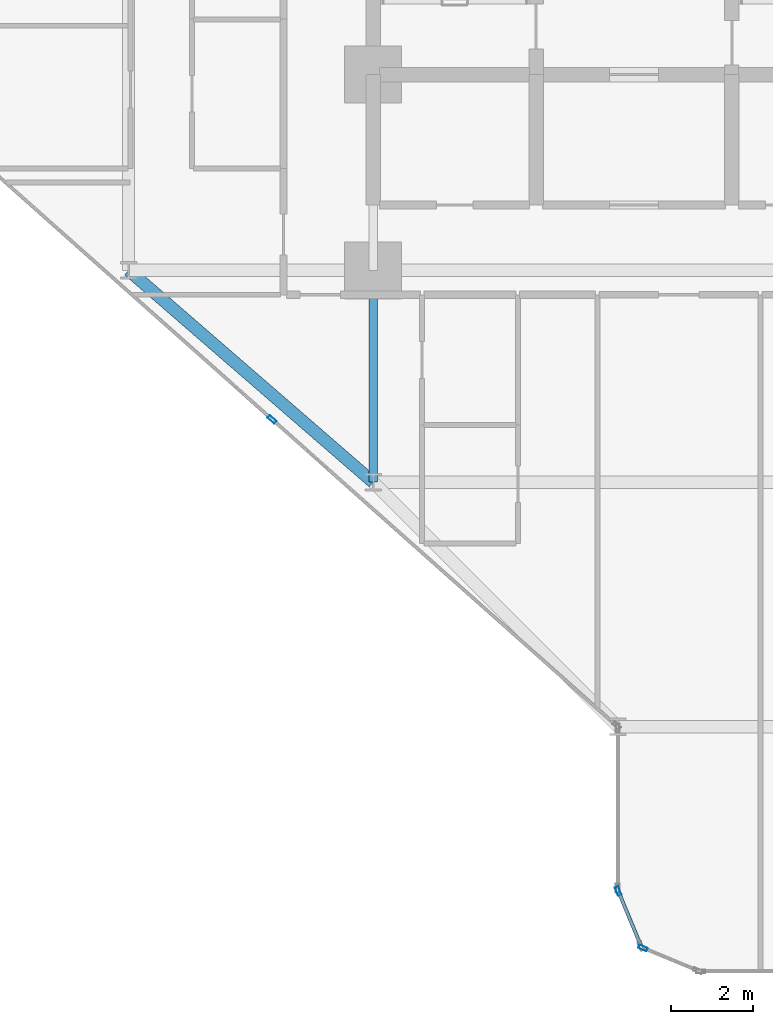
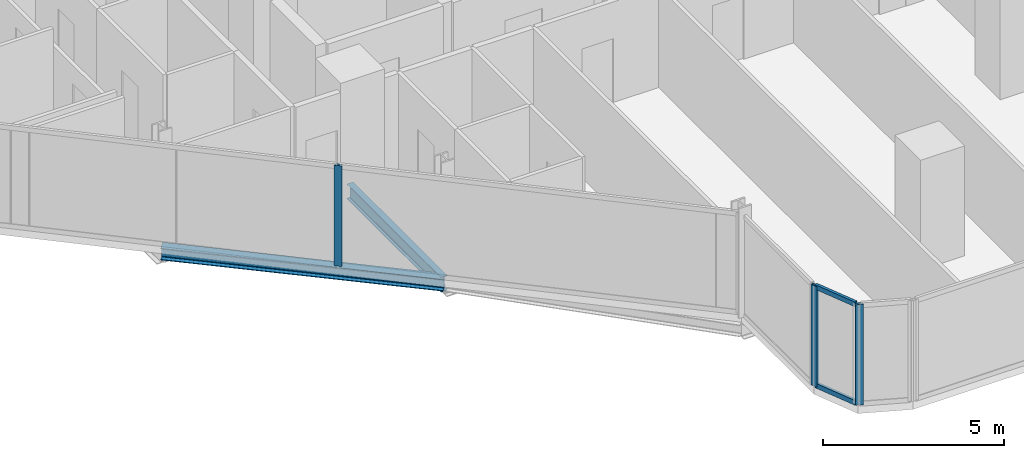
# One storey, part 2 of 33: 5 members, 2 beams, 3 elements without a shape of their own.
"""IFC4 building model written with IfcOpenShell, lengths in metres."""

import ifcopenshell
import ifcopenshell.guid

model = None  # the IFC model being written
_history = None  # IfcOwnerHistory: only IFC2X3 demands one
_inside = {}  # id of a spatial element -> (the spatial element, [elements in it])
_under = {}  # id of a project, library or spatial element -> (it, [spatial elements below it])
_declared = {}  # id of a project -> (the project, [libraries it declares])
_typed = {}  # id of a type object -> (the type object, [elements of that type])
_made_of = {}  # id of a material, layer set ... -> (it, [elements and type objects made of it])


def new_model(schema):
    """Start an empty IFC model of exactly this schema.

    Asked for "IFC4X3", IfcOpenShell would pick the latest addendum, in which some entities
    have other attributes; the version numbers below select the first issue.
    IFC2X3 requires an IfcOwnerHistory on every rooted entity: one is made here for all.
    """
    global model, _history
    if schema == "IFC4X3":
        model = ifcopenshell.file(schema_version=(4, 3, 0, 0))
    else:
        model = ifcopenshell.file(schema=schema)
    _inside.clear()
    _under.clear()
    _declared.clear()
    _typed.clear()
    _made_of.clear()
    _history = None
    if model.schema == "IFC2X3":
        org = make("IfcOrganization", Name="unknown")
        user = make(
            "IfcPersonAndOrganization",
            ThePerson=make("IfcPerson", FamilyName="unknown"),
            TheOrganization=org,
        )
        app = make(
            "IfcApplication",
            ApplicationDeveloper=org,
            Version="unknown",
            ApplicationFullName="unknown",
            ApplicationIdentifier="unknown",
        )
        _history = make(
            "IfcOwnerHistory",
            OwningUser=user,
            OwningApplication=app,
            ChangeAction="ADDED",
            CreationDate=0,
        )
    return model


def make(cls, **values):
    """One entity of the class cls with the attributes given. An attribute that is None is left unset."""
    return model.create_entity(
        cls, **{name: value for name, value in values.items() if value is not None}
    )


def rooted(cls, **values):
    """An entity with a GlobalId (a new one), such as an element, a storey or a relation."""
    return make(cls, GlobalId=ifcopenshell.guid.new(), OwnerHistory=_history, **values)


def si_unit(unit_type, name, prefix=None):
    """IfcSIUnit, for example si_unit("LENGTHUNIT", "METRE", prefix="MILLI")."""
    return make("IfcSIUnit", UnitType=unit_type, Prefix=prefix, Name=name)


def assignment(units):
    """IfcUnitAssignment: the units of a project."""
    return None if units is None else make("IfcUnitAssignment", Units=units)


def point(xyz):
    """IfcCartesianPoint."""
    return None if xyz is None else make("IfcCartesianPoint", Coordinates=xyz)


def direction(xyz):
    """IfcDirection."""
    return None if xyz is None else make("IfcDirection", DirectionRatios=xyz)


def frame(location, z_axis=None, x_axis=None):
    """IfcAxis2Placement3D, a coordinate frame: its origin and axes. An axis left out is left unset."""
    return make(
        "IfcAxis2Placement3D",
        Location=point(location),
        Axis=direction(z_axis),
        RefDirection=direction(x_axis),
    )


def frame_2d(location, x_axis=None):
    """IfcAxis2Placement2D, a coordinate frame in the plane: its origin and x axis."""
    return make(
        "IfcAxis2Placement2D", Location=point(location), RefDirection=direction(x_axis)
    )


def origin():
    """The frame at (0, 0, 0) with its axes left unset."""
    return frame((0.0, 0.0, 0.0))


def origin_2d():
    """The frame at (0, 0) in the plane with its x axis left unset."""
    return frame_2d((0.0, 0.0))


def place(relative_to, where):
    """IfcLocalPlacement: puts the frame where relative to a parent placement (None: the world)."""
    return make(
        "IfcLocalPlacement", PlacementRelTo=relative_to, RelativePlacement=where
    )


def context(
    kind, dimensions, precision=None, world=None, true_north=None, identifier=None
):
    """IfcGeometricRepresentationContext, for example the 3D "Model" context."""
    return make(
        "IfcGeometricRepresentationContext",
        ContextIdentifier=identifier,
        ContextType=kind,
        CoordinateSpaceDimension=dimensions,
        Precision=precision,
        WorldCoordinateSystem=world,
        TrueNorth=true_north,
    )


def subcontext(parent, identifier, kind, view, scale=None):
    """IfcGeometricRepresentationSubContext, for example "Body" below "Model"."""
    return make(
        "IfcGeometricRepresentationSubContext",
        ContextIdentifier=identifier,
        ContextType=kind,
        ParentContext=parent,
        TargetScale=scale,
        TargetView=view,
    )


def project(units=None, contexts=None):
    """IfcProject with its units and contexts."""
    return rooted(
        "IfcProject",
        Name="project",
        RepresentationContexts=contexts,
        UnitsInContext=assignment(units),
    )


def spatial(cls, under=None, at=None, **own):
    """A site, building, storey or space (cls), placed at a placement, below another one or the project."""
    s = rooted(cls, ObjectPlacement=at, **own)
    if under is not None:
        _under.setdefault(under.id(), (under, []))[1].append(s)
    return s


def profile(cls, at=None, kind="AREA", **sizes):
    """A parametric profile (cls). Its sizes go by their IFC names, for example OverallWidth=200.0."""
    return make(cls, ProfileType=kind, Position=at, **sizes)


def hollow_rectangle(**sizes):
    """IfcRectangleHollowProfileDef."""
    return profile("IfcRectangleHollowProfileDef", **sizes)


def i_section(**sizes):
    """IfcIShapeProfileDef."""
    return profile("IfcIShapeProfileDef", **sizes)


def extrude(swept, where, along, depth):
    """IfcExtrudedAreaSolid: the profile swept, set in the frame where, extruded along a direction by depth."""
    return make(
        "IfcExtrudedAreaSolid",
        SweptArea=swept,
        Position=where,
        ExtrudedDirection=direction(along),
        Depth=depth,
    )


def shape(context_of_items, identifier, shape_type, items):
    """IfcShapeRepresentation: the items that make up one representation, for example the "Body"."""
    return make(
        "IfcShapeRepresentation",
        ContextOfItems=context_of_items,
        RepresentationIdentifier=identifier,
        RepresentationType=shape_type,
        Items=items,
    )


def material(Name=None, Category=None):
    """IfcMaterial."""
    return make("IfcMaterial", Name=Name, Category=Category)


def layer(
    of_material, thickness, ventilated=None, Name=None, Category=None, Priority=None
):
    """IfcMaterialLayer: one layer of a wall or slab, of a material (None: an air gap)."""
    return make(
        "IfcMaterialLayer",
        Material=of_material,
        LayerThickness=thickness,
        IsVentilated=ventilated,
        Name=Name,
        Category=Category,
        Priority=Priority,
    )


def layer_set(layers, Name=None):
    """IfcMaterialLayerSet."""
    return make("IfcMaterialLayerSet", MaterialLayers=layers, LayerSetName=Name)


def material_profile(
    of_material, cross_section, Name=None, Category=None, Priority=None
):
    """IfcMaterialProfile: a cross section and its material."""
    return make(
        "IfcMaterialProfile",
        Name=Name,
        Material=of_material,
        Profile=cross_section,
        Priority=Priority,
        Category=Category,
    )


def profile_set(profiles, Name=None, composite=None):
    """IfcMaterialProfileSet."""
    return make(
        "IfcMaterialProfileSet",
        Name=Name,
        MaterialProfiles=profiles,
        CompositeProfile=composite,
    )


def made_of(thing, what):
    """Note that an element or type object is made of a material, layer set ...; save() writes the relation."""
    if what is not None:
        _made_of.setdefault(what.id(), (what, []))[1].append(thing)
    return thing


def type_object(cls, material=None, **own):
    """A type object (cls), such as IfcWallType, which elements share."""
    return made_of(rooted(cls, **own), material)


def element(
    cls,
    number,
    at=None,
    inside=None,
    cuts=None,
    type_object=None,
    material=None,
    context=None,
    identifier="Body",
    shape_type=None,
    held_by="IfcProductDefinitionShape",
    body=None,
    shapes=None,
    **own,
):
    """One element of the class cls, such as IfcWall. Its Tag is "e" and its number.

    at: its placement. inside: the storey or other place that contains it. cuts: it is an
    opening in that element (IfcRelVoidsElement). A single representation is given by context,
    identifier, shape_type and body (its items); several are given by shapes. held_by: the class
    of the entity that holds the representations. save() writes the other relations.
    """
    e = rooted(cls, Tag="e%d" % number, ObjectPlacement=at, **own)
    if body is not None:
        shapes = [shape(context, identifier, shape_type, body)]
    if shapes is not None:
        e.Representation = make(held_by, Representations=shapes)
    if inside is not None:
        _inside.setdefault(inside.id(), (inside, []))[1].append(e)
    if cuts is not None:
        rooted(
            "IfcRelVoidsElement", RelatingBuildingElement=cuts, RelatedOpeningElement=e
        )
    if type_object is not None:
        _typed.setdefault(type_object.id(), (type_object, []))[1].append(e)
    return made_of(e, material)


def aggregate(whole, parts):
    """IfcRelAggregates: a whole, such as a stair, and the parts it consists of."""
    return rooted("IfcRelAggregates", RelatingObject=whole, RelatedObjects=parts)


def save(model, path):
    """Write the relations noted so far, then the file.

    IfcRelAggregates (storeys below a building ...), IfcRelContainedInSpatialStructure (elements
    in a storey), IfcRelDefinesByType, IfcRelAssociatesMaterial and IfcRelDeclares: one each for
    every whole, place, type object, material and project.
    """
    for whole, parts in _under.values():
        aggregate(whole, parts)
    for where, things in _inside.values():
        rooted(
            "IfcRelContainedInSpatialStructure",
            RelatedElements=things,
            RelatingStructure=where,
        )
    for kind, things in _typed.values():
        rooted("IfcRelDefinesByType", RelatedObjects=things, RelatingType=kind)
    for what, things in _made_of.values():
        rooted("IfcRelAssociatesMaterial", RelatedObjects=things, RelatingMaterial=what)
    for by, libraries in _declared.values():
        rooted("IfcRelDeclares", RelatingContext=by, RelatedDefinitions=libraries)
    model.write(path)


model = new_model("IFC4")

# Units and contexts
model_context = context("Model", 3, precision=1e-05, world=origin(), true_north=direction((0.0, 1.0)))
body_context = subcontext(model_context, "Body", "Model", "MODEL_VIEW")
ifc_project = project(units=[si_unit("LENGTHUNIT", "METRE"), si_unit("AREAUNIT", "SQUARE_METRE"), si_unit("VOLUMEUNIT", "CUBIC_METRE"), si_unit("PLANEANGLEUNIT", "RADIAN"), si_unit("MASSUNIT", "GRAM", prefix="KILO")], contexts=[model_context])

# Site, building, storey
site_placement = place(None, origin())
site = spatial("IfcSite", under=ifc_project, at=site_placement, CompositionType="ELEMENT")
building_placement = place(site_placement, origin())
building = spatial("IfcBuilding", under=site, at=building_placement, Name="Keshet Zoharim Tower", CompositionType="ELEMENT")
storey_placement = place(building_placement, frame((0.0, 0.0, 49.89990234375)))
storey = spatial("IfcBuildingStorey", under=building, at=storey_placement, Name="L11", CompositionType="ELEMENT", Elevation=49.89990234375)

# Beams
ifc_material_1 = material(Name="Steel S355", Category="steel")
ifc_material_profile_1 = material_profile(ifc_material_1, i_section(OverallWidth=0.199951171875, OverallDepth=0.5, WebThickness=0.01025390625, FlangeThickness=0.01611328125, FilletRadius=0.02099609375, at=origin_2d()), Name="IPE500")
ifc_profile_set_1 = profile_set([ifc_material_profile_1], Name="Steel S355")
beam_type_1 = type_object("IfcBeamType", Name="BM-PRI-IP500", PredefinedType="BEAM", material=ifc_profile_set_1)
beam_1_placement = place(storey_placement, frame((15.0, 12.699951171875, -0.56494140625), z_axis=(0.0, 1.0, 0.0), x_axis=(-1.0, 0.0, 0.0)))
element("IfcBeam", 1, at=beam_1_placement, inside=storey, type_object=beam_type_1, Name="L11 Primary Girder Y-002", PredefinedType="BEAM", context=body_context, shape_type="SweptSolid", body=[
    extrude(i_section(OverallWidth=0.199951171875, OverallDepth=0.5, WebThickness=0.01025390625, FlangeThickness=0.01611328125, FilletRadius=0.02099609375, at=origin_2d()), origin(), (0.0, 0.0, 1.0), 5.199951171875),
])
ifc_material_profile_2 = material_profile(ifc_material_1, i_section(OverallWidth=0.300048828125, OverallDepth=0.39990234375, WebThickness=0.013427734375, FlangeThickness=0.02392578125, FilletRadius=0.027099609375, at=origin_2d()), Name="HEB400")
ifc_profile_set_2 = profile_set([ifc_material_profile_2], Name="Steel S355")
beam_type_2 = type_object("IfcBeamType", Name="BM-SPN-HB400", PredefinedType="SPANDREL", material=ifc_profile_set_2)
beam_2_placement = place(storey_placement, frame((9.0, 17.89990234375, -0.514892578125), z_axis=(0.755692126483, -0.654927026447, 0.0), x_axis=(0.654927026447, 0.755692126483, 0.0)))
element("IfcBeam", 2, at=beam_2_placement, inside=storey, type_object=beam_type_2, Name="L11 Perimeter Spandrel Beam 02", PredefinedType="SPANDREL", context=body_context, shape_type="SweptSolid", body=[
    extrude(i_section(OverallWidth=0.300048828125, OverallDepth=0.39990234375, WebThickness=0.013427734375, FlangeThickness=0.02392578125, FilletRadius=0.027099609375, at=origin_2d()), origin(), (0.0, 0.0, 1.0), 7.939697265625),
])

# Curtain wall, member
ifc_material_2 = material(Name="Aluminium 6063-T6", Category="aluminium")
ifc_layer = layer(ifc_material_2, 0.179931640625)
ifc_layer_set = layer_set([ifc_layer], Name="Aluminium 6063-T6")
curtain_wall_type = type_object("IfcCurtainWallType", Name="CW-SYS-01", PredefinedType="NOTDEFINED", material=ifc_layer_set)
curtain_wall_1_placement = place(storey_placement, origin())
curtain_wall_1 = element("IfcCurtainWall", 3, at=curtain_wall_1_placement, inside=storey, type_object=curtain_wall_type, Name="L11 Unitised Curtain Wall 01", PredefinedType="NOTDEFINED")
ifc_material_profile_3 = material_profile(ifc_material_2, hollow_rectangle(XDim=0.090087890625, YDim=0.219970703125, WallThickness=0.0048828125, at=origin_2d()), Name="MUL-90x220")
ifc_profile_set_3 = profile_set([ifc_material_profile_3], Name="Aluminium 6063-T6")
member_type_1 = type_object("IfcMemberType", Name="CWM-M22", PredefinedType="MULLION", material=ifc_profile_set_3)
member_1_placement = place(storey_placement, frame((12.517578125, 14.239990234375, 0.0), z_axis=(0.0, 0.0, 1.0), x_axis=(-0.664363838836, -0.747409318679, 0.0)))
member_1 = element("IfcMember", 4, at=member_1_placement, type_object=member_type_1, Name="CW-01 mullion 2", PredefinedType="MULLION", context=body_context, shape_type="SweptSolid", body=[
    extrude(hollow_rectangle(XDim=0.090087890625, YDim=0.219970703125, WallThickness=0.0048828125, at=origin_2d()), origin(), (0.0, 0.0, 1.0), 3.385009765625),
])
aggregate(curtain_wall_1, [member_1])

curtain_wall_2_placement = place(storey_placement, origin())
curtain_wall_2 = element("IfcCurtainWall", 5, at=curtain_wall_2_placement, inside=storey, type_object=curtain_wall_type, Name="L11 Unitised Curtain Wall 27", PredefinedType="NOTDEFINED")
member_2_placement = place(storey_placement, frame((21.618408203125, 1.272705078125, 0.0), z_axis=(0.0, 0.0, 1.0), x_axis=(-0.382851849847, -0.92380975372, 0.0)))
member_2 = element("IfcMember", 6, at=member_2_placement, type_object=member_type_1, Name="CW-01 mullion 2", PredefinedType="MULLION", context=body_context, shape_type="SweptSolid", body=[
    extrude(hollow_rectangle(XDim=0.090087890625, YDim=0.219970703125, WallThickness=0.0048828125, at=origin_2d()), origin(), (0.0, 0.0, 1.0), 3.385009765625),
])
aggregate(curtain_wall_2, [member_2])

# Curtain wall, members
curtain_wall_3_placement = place(storey_placement, origin())
curtain_wall_3 = element("IfcCurtainWall", 7, at=curtain_wall_3_placement, inside=storey, type_object=curtain_wall_type, Name="L11 Unitised Curtain Wall 28", PredefinedType="NOTDEFINED")
member_3_placement = place(storey_placement, frame((21.013427734375, 2.667724609375, 0.0), z_axis=(0.0, 0.0, 1.0), x_axis=(-0.92380975372, -0.382851849847, 0.0)))
member_3 = element("IfcMember", 8, at=member_3_placement, type_object=member_type_1, Name="CW-01 mullion 2", PredefinedType="MULLION", context=body_context, shape_type="SweptSolid", body=[
    extrude(hollow_rectangle(XDim=0.090087890625, YDim=0.219970703125, WallThickness=0.0048828125, at=origin_2d()), origin(), (0.0, 0.0, 1.0), 3.385009765625),
])
ifc_material_profile_4 = material_profile(ifc_material_2, hollow_rectangle(XDim=0.0849609375, YDim=0.159912109375, WallThickness=0.00439453125, at=origin_2d()), Name="TRN-85x160")
ifc_profile_set_4 = profile_set([ifc_material_profile_4], Name="Aluminium 6063-T6")
member_type_2 = type_object("IfcMemberType", Name="CWT-T16", PredefinedType="USERDEFINED", material=ifc_profile_set_4)
member_4_placement = place(storey_placement, frame((21.55908203125, 1.3505859375, 0.03515625), z_axis=(-0.382744609247, 0.923854189844, 0.0), x_axis=(-0.923854189844, -0.382744609247, 0.0)))
member_4 = element("IfcMember", 9, at=member_4_placement, type_object=member_type_2, Name="CW-01 transom 1.1", ObjectType="TRANSOM", PredefinedType="USERDEFINED", context=body_context, shape_type="SweptSolid", body=[
    extrude(hollow_rectangle(XDim=0.0849609375, YDim=0.159912109375, WallThickness=0.00439453125, at=origin_2d()), origin(), (0.0, 0.0, 1.0), 1.390625),
])
member_5_placement = place(storey_placement, frame((21.55908203125, 1.3505859375, 3.35009765625), z_axis=(-0.382744609247, 0.923854189844, 0.0), x_axis=(-0.923854189844, -0.382744609247, 0.0)))
member_5 = element("IfcMember", 10, at=member_5_placement, type_object=member_type_2, Name="CW-01 transom 1.2", ObjectType="TRANSOM", PredefinedType="USERDEFINED", context=body_context, shape_type="SweptSolid", body=[
    extrude(hollow_rectangle(XDim=0.0849609375, YDim=0.159912109375, WallThickness=0.00439453125, at=origin_2d()), origin(), (0.0, 0.0, 1.0), 1.390625),
])
aggregate(curtain_wall_3, [member_3, member_4, member_5])

save(model, "model.ifc")
